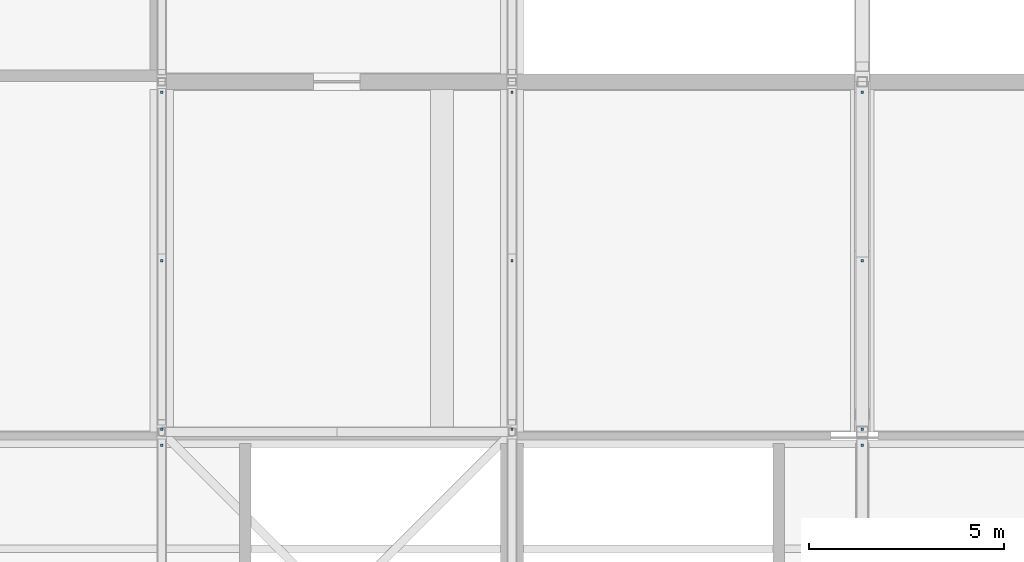
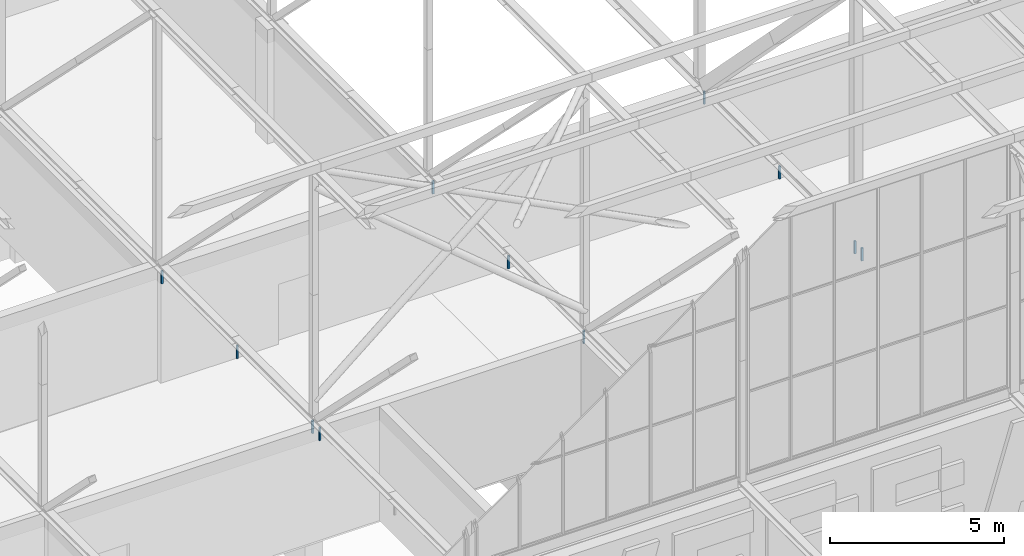
# One storey, part 182 of 646: 11 discrete accessories.
"""IFC4 building model written with IfcOpenShell, lengths in metres."""

from ifc_helpers import new_model, si_unit, direction, frame, origin, origin_2d, place, context, subcontext, project, spatial, rectangle, extrude, material, type_object, element, save


model = new_model("IFC4")

# Units and contexts
model_context = context("Model", 3, precision=1e-05, world=origin(), true_north=direction((0.0, 1.0)))
body_context = subcontext(model_context, "Body", "Model", "MODEL_VIEW")
ifc_project = project(units=[si_unit("LENGTHUNIT", "METRE"), si_unit("AREAUNIT", "SQUARE_METRE"), si_unit("VOLUMEUNIT", "CUBIC_METRE"), si_unit("PLANEANGLEUNIT", "RADIAN"), si_unit("MASSUNIT", "GRAM", prefix="KILO")], contexts=[model_context])

# Site, building, storey
site_placement = place(None, origin())
site = spatial("IfcSite", under=ifc_project, at=site_placement, CompositionType="ELEMENT")
building_placement = place(site_placement, origin())
building = spatial("IfcBuilding", under=site, at=building_placement, Name="Silverbay Arena", CompositionType="ELEMENT")
storey_placement = place(building_placement, frame((0.0, 0.0, 33.5)))
storey = spatial("IfcBuildingStorey", under=building, at=storey_placement, Name="L05", CompositionType="ELEMENT", Elevation=33.5)

# Discrete accessories
ifc_material = material(Name="Steel S355", Category="steel")
discrete_accessory_type = type_object("IfcDiscreteAccessoryType", Name="Ceiling hanger", PredefinedType="BRACKET", material=ifc_material)
for number, where, z_axis, x_axis, name in (
    (1, (90.0, 27.070068359375, 3.5498046875), (0.0, 0.0, 1.0), (1.0, 0.0, 0.0), "Ceiling hanger"),
    (2, (90.0, 31.39990234375, 3.5498046875), (0.0, 0.0, 1.0), (1.0, 0.0, 0.0), "Ceiling hanger"),
    (3, (90.0, 35.72998046875, 3.5498046875), (0.0, 0.0, 1.0), (1.0, 0.0, 0.0), "Ceiling hanger"),
    (4, (99.0, 27.070068359375, 3.5498046875), (0.0, 0.0, 1.0), (1.0, 0.0, 0.0), "Ceiling hanger"),
    (5, (99.0, 31.39990234375, 3.5498046875), (0.0, 0.0, 1.0), (1.0, 0.0, 0.0), "Ceiling hanger"),
    (6, (99.0, 35.72998046875, 3.5498046875), (0.0, 0.0, 1.0), (1.0, 0.0, 0.0), "Ceiling hanger"),
    (7, (108.0, 27.070068359375, 3.5498046875), (0.0, 0.0, 1.0), (1.0, 0.0, 0.0), "Ceiling hanger"),
    (8, (108.0, 31.39990234375, 3.5498046875), (0.0, 0.0, 1.0), (1.0, 0.0, 0.0), "Ceiling hanger"),
    (9, (108.0, 35.72998046875, 3.5498046875), (0.0, 0.0, 1.0), (1.0, 0.0, 0.0), "Ceiling hanger"),
    (10, (90.0, 26.659912109375, 3.5498046875), (0.0, 0.0, 1.0), (1.0, 0.0, 0.0), "Ceiling hanger"),
    (11, (108.0, 26.659912109375, 3.5498046875), (0.0, 0.0, 1.0), (1.0, 0.0, 0.0), "Ceiling hanger"),
):
    element("IfcDiscreteAccessory", number, at=place(storey_placement, frame(where, z_axis=z_axis, x_axis=x_axis)), inside=storey, type_object=discrete_accessory_type, Name=name, PredefinedType="BRACKET", context=body_context, shape_type="SweptSolid", body=[
        extrude(rectangle(XDim=0.06005859375, YDim=0.06005859375, at=origin_2d()), origin(), (0.0, 0.0, 1.0), 0.449951171875),
    ])

save(model, "model.ifc")
